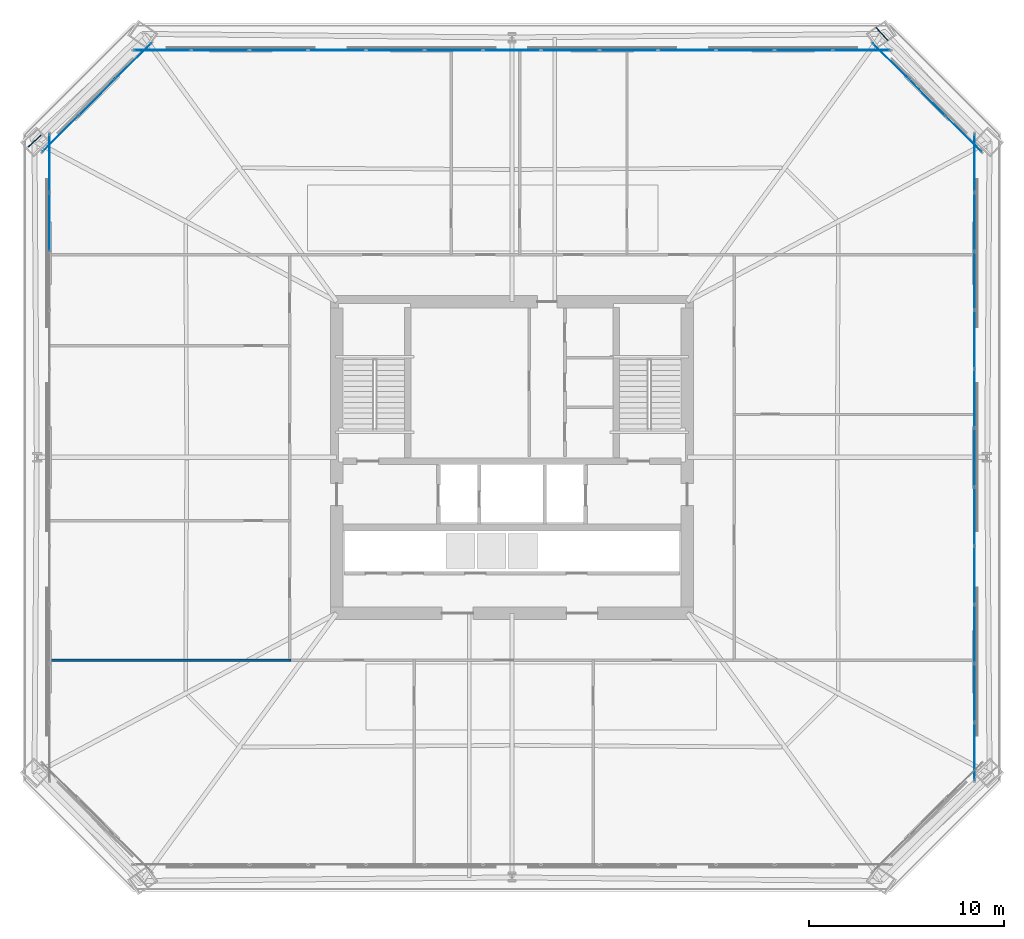
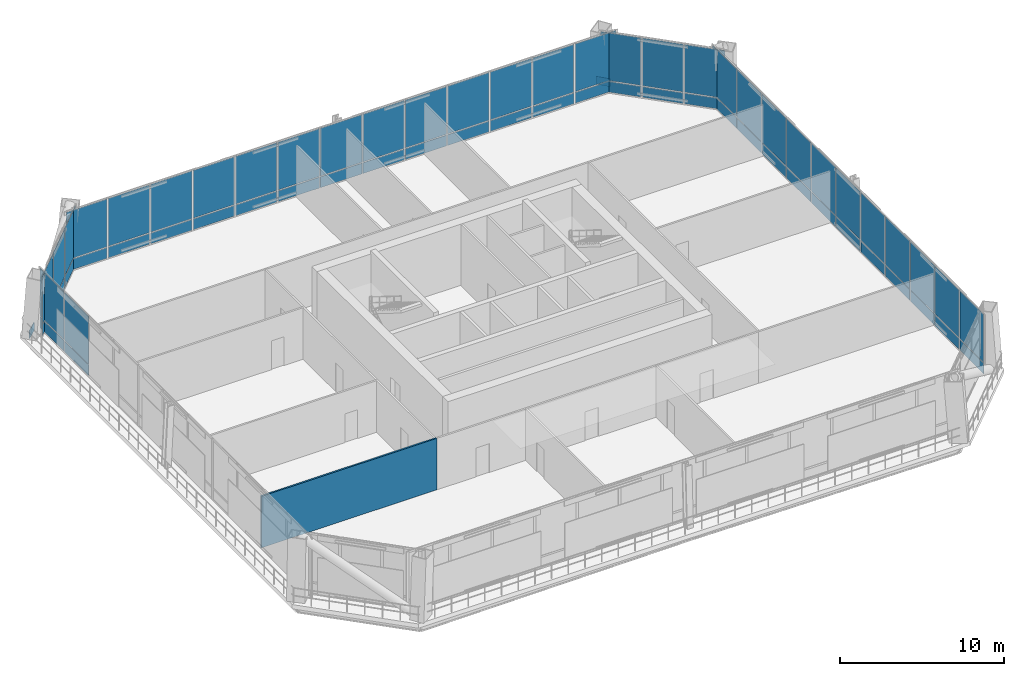
# One storey, part 41 of 48: 66 plates, 1 wall, 5 elements without a shape of their own.
"""IFC4 building model written with IfcOpenShell, lengths in metres."""

from ifc_helpers import new_model, si_unit, direction, frame, frame_2d, origin, origin_2d, place, context, subcontext, project, spatial, rectangle, extrude, material, layer, layer_set, type_object, element, aggregate, save


model = new_model("IFC4")

# Units and contexts
model_context = context("Model", 3, precision=1e-05, world=origin(), true_north=direction((0.0, 1.0)))
body_context = subcontext(model_context, "Body", "Model", "MODEL_VIEW")
ifc_project = project(units=[si_unit("LENGTHUNIT", "METRE"), si_unit("AREAUNIT", "SQUARE_METRE"), si_unit("VOLUMEUNIT", "CUBIC_METRE"), si_unit("PLANEANGLEUNIT", "RADIAN"), si_unit("MASSUNIT", "GRAM", prefix="KILO")], contexts=[model_context])

# Site, building, storey
site_placement = place(None, origin())
site = spatial("IfcSite", under=ifc_project, at=site_placement, CompositionType="ELEMENT")
building_placement = place(site_placement, origin())
building = spatial("IfcBuilding", under=site, at=building_placement, Name="Caelvoria Tower", CompositionType="ELEMENT")
storey_placement = place(building_placement, frame((0.0, 0.0, 90.39990234375)))
storey = spatial("IfcBuildingStorey", under=building, at=storey_placement, Name="L23", CompositionType="ELEMENT", Elevation=90.39990234375)

# Curtain wall, plates
ifc_material_1 = material(Name="Anodised Bronze Aluminium and Low-E Glass", Category="aluminium")
ifc_layer_1 = layer(ifc_material_1, 0.2099609375, Name="Anodised Bronze Aluminium and Low-E Glass")
ifc_layer_set_1 = layer_set([ifc_layer_1], Name="CW System 3 Sky Lobby Double-Height Acoustic Facade - Anodised Bronze Aluminium and Low-E Glass")
curtain_wall_type = type_object("IfcCurtainWallType", Name="CW System 3 Sky Lobby Double-Height Acoustic Facade", PredefinedType="NOTDEFINED", material=ifc_layer_set_1)
curtain_wall_1_placement = place(storey_placement, origin())
curtain_wall_1 = element("IfcCurtainWall", 1, at=curtain_wall_1_placement, inside=storey, type_object=curtain_wall_type, Name="CW-03 Curtain Wall L23-E2", PredefinedType="NOTDEFINED")
ifc_material_2 = material(Name="Tinted Low-E Insulated Glazing Unit", Category="glass")
ifc_layer_2 = layer(ifc_material_2, 0.028076171875, Name="Tinted Low-E Insulated Glazing Unit")
ifc_layer_set_2 = layer_set([ifc_layer_2], Name="Double-Glazed Solar-Control Vision Panel 28 - Tinted Low-E Insulated Glazing Unit")
plate_type_1 = type_object("IfcPlateType", Name="Double-Glazed Solar-Control Vision Panel 28", PredefinedType="CURTAIN_PANEL", material=ifc_layer_set_2)
plate_1_placement = place(storey_placement, frame((69.73681640625, 19.903076171875, 0.9326171875), z_axis=(0.0, 0.0, 1.0), x_axis=(0.0, 1.0, 0.0)))
plate_1 = element("IfcPlate", 2, at=plate_1_placement, type_object=plate_type_1, Name="CW-03 panel 2.2", PredefinedType="CURTAIN_PANEL", context=body_context, shape_type="SweptSolid", body=[
    extrude(rectangle(XDim=2.954345703125, YDim=0.028076171875, at=origin_2d()), origin(), (0.0, 0.0, 1.0), 3.5625),
])
plate_2_placement = place(storey_placement, frame((69.73681640625, 22.92724609375, 0.9326171875), z_axis=(0.0, 0.0, 1.0), x_axis=(0.0, 1.0, 0.0)))
plate_2 = element("IfcPlate", 3, at=plate_2_placement, type_object=plate_type_1, Name="CW-03 panel 3.2", PredefinedType="CURTAIN_PANEL", context=body_context, shape_type="SweptSolid", body=[
    extrude(rectangle(XDim=2.954345703125, YDim=0.028076171875, at=origin_2d()), origin(), (0.0, 0.0, 1.0), 3.5625),
])
plate_3_placement = place(storey_placement, frame((69.73681640625, 25.951416015625, 0.9326171875), z_axis=(0.0, 0.0, 1.0), x_axis=(0.0, 1.0, 0.0)))
plate_3 = element("IfcPlate", 4, at=plate_3_placement, type_object=plate_type_1, Name="CW-03 panel 4.2", PredefinedType="CURTAIN_PANEL", context=body_context, shape_type="SweptSolid", body=[
    extrude(rectangle(XDim=2.954345703125, YDim=0.028076171875, at=origin_2d()), origin(), (0.0, 0.0, 1.0), 3.5625),
])
plate_4_placement = place(storey_placement, frame((69.73681640625, 28.975830078125, 0.9326171875), z_axis=(0.0, 0.0, 1.0), x_axis=(0.0, 1.0, 0.0)))
plate_4 = element("IfcPlate", 5, at=plate_4_placement, type_object=plate_type_1, Name="CW-03 panel 5.2", PredefinedType="CURTAIN_PANEL", context=body_context, shape_type="SweptSolid", body=[
    extrude(rectangle(XDim=2.954345703125, YDim=0.028076171875, at=origin_2d()), origin(), (0.0, 0.0, 1.0), 3.5625),
])
plate_5_placement = place(storey_placement, frame((69.73681640625, 32.0, 0.9326171875), z_axis=(0.0, 0.0, 1.0), x_axis=(0.0, 1.0, 0.0)))
plate_5 = element("IfcPlate", 6, at=plate_5_placement, type_object=plate_type_1, Name="CW-03 panel 6.2", PredefinedType="CURTAIN_PANEL", context=body_context, shape_type="SweptSolid", body=[
    extrude(rectangle(XDim=2.954345703125, YDim=0.028076171875, at=origin_2d()), origin(), (0.0, 0.0, 1.0), 3.5625),
])
plate_6_placement = place(storey_placement, frame((69.73681640625, 35.024169921875, 0.9326171875), z_axis=(0.0, 0.0, 1.0), x_axis=(0.0, 1.0, 0.0)))
plate_6 = element("IfcPlate", 7, at=plate_6_placement, type_object=plate_type_1, Name="CW-03 panel 7.2", PredefinedType="CURTAIN_PANEL", context=body_context, shape_type="SweptSolid", body=[
    extrude(rectangle(XDim=2.954345703125, YDim=0.028076171875, at=origin_2d()), origin(), (0.0, 0.0, 1.0), 3.5625),
])
plate_7_placement = place(storey_placement, frame((69.73681640625, 38.048583984375, 0.9326171875), z_axis=(0.0, 0.0, 1.0), x_axis=(0.0, 1.0, 0.0)))
plate_7 = element("IfcPlate", 8, at=plate_7_placement, type_object=plate_type_1, Name="CW-03 panel 8.2", PredefinedType="CURTAIN_PANEL", context=body_context, shape_type="SweptSolid", body=[
    extrude(rectangle(XDim=2.954345703125, YDim=0.028076171875, at=origin_2d()), origin(), (0.0, 0.0, 1.0), 3.5625),
])
plate_8_placement = place(storey_placement, frame((69.73681640625, 41.07275390625, 0.9326171875), z_axis=(0.0, 0.0, 1.0), x_axis=(0.0, 1.0, 0.0)))
plate_8 = element("IfcPlate", 9, at=plate_8_placement, type_object=plate_type_1, Name="CW-03 panel 9.2", PredefinedType="CURTAIN_PANEL", context=body_context, shape_type="SweptSolid", body=[
    extrude(rectangle(XDim=2.954345703125, YDim=0.028076171875, at=origin_2d()), origin(), (0.0, 0.0, 1.0), 3.5625),
])
plate_9_placement = place(storey_placement, frame((69.73681640625, 44.096923828125, 0.9326171875), z_axis=(0.0, 0.0, 1.0), x_axis=(0.0, 1.0, 0.0)))
plate_9 = element("IfcPlate", 10, at=plate_9_placement, type_object=plate_type_1, Name="CW-03 panel 10.2", PredefinedType="CURTAIN_PANEL", context=body_context, shape_type="SweptSolid", body=[
    extrude(rectangle(XDim=2.954345703125, YDim=0.028076171875, at=origin_2d()), origin(), (0.0, 0.0, 1.0), 3.5625),
])

curtain_wall_2_placement = place(storey_placement, origin())
curtain_wall_2 = element("IfcCurtainWall", 11, at=curtain_wall_2_placement, inside=storey, type_object=curtain_wall_type, Name="CW-03 Curtain Wall L23-E4", PredefinedType="NOTDEFINED")
plate_10_placement = place(storey_placement, frame((60.974365234375, 52.9033203125, 0.9326171875), z_axis=(0.0, 0.0, 1.0), x_axis=(-1.0, 0.0, 0.0)))
plate_10 = element("IfcPlate", 12, at=plate_10_placement, type_object=plate_type_1, Name="CW-03 panel 2.2", PredefinedType="CURTAIN_PANEL", context=body_context, shape_type="SweptSolid", body=[
    extrude(rectangle(XDim=2.9248046875, YDim=0.028076171875, at=origin_2d()), origin(), (0.0, 0.0, 1.0), 3.5625),
])
plate_11_placement = place(storey_placement, frame((57.9794921875, 52.9033203125, 0.9326171875), z_axis=(0.0, 0.0, 1.0), x_axis=(-1.0, 0.0, 0.0)))
plate_11 = element("IfcPlate", 13, at=plate_11_placement, type_object=plate_type_1, Name="CW-03 panel 3.2", PredefinedType="CURTAIN_PANEL", context=body_context, shape_type="SweptSolid", body=[
    extrude(rectangle(XDim=2.9248046875, YDim=0.028076171875, at=origin_2d()), origin(), (0.0, 0.0, 1.0), 3.5625),
])
plate_12_placement = place(storey_placement, frame((54.984619140625, 52.9033203125, 0.9326171875), z_axis=(0.0, 0.0, 1.0), x_axis=(-1.0, 0.0, 0.0)))
plate_12 = element("IfcPlate", 14, at=plate_12_placement, type_object=plate_type_1, Name="CW-03 panel 4.2", PredefinedType="CURTAIN_PANEL", context=body_context, shape_type="SweptSolid", body=[
    extrude(rectangle(XDim=2.9248046875, YDim=0.028076171875, at=origin_2d()), origin(), (0.0, 0.0, 1.0), 3.5625),
])
plate_13_placement = place(storey_placement, frame((51.98974609375, 52.9033203125, 0.9326171875), z_axis=(0.0, 0.0, 1.0), x_axis=(-1.0, 0.0, 0.0)))
plate_13 = element("IfcPlate", 15, at=plate_13_placement, type_object=plate_type_1, Name="CW-03 panel 5.2", PredefinedType="CURTAIN_PANEL", context=body_context, shape_type="SweptSolid", body=[
    extrude(rectangle(XDim=2.9248046875, YDim=0.028076171875, at=origin_2d()), origin(), (0.0, 0.0, 1.0), 3.5625),
])
plate_14_placement = place(storey_placement, frame((48.994873046875, 52.9033203125, 0.9326171875), z_axis=(0.0, 0.0, 1.0), x_axis=(-1.0, 0.0, 0.0)))
plate_14 = element("IfcPlate", 16, at=plate_14_placement, type_object=plate_type_1, Name="CW-03 panel 6.2", PredefinedType="CURTAIN_PANEL", context=body_context, shape_type="SweptSolid", body=[
    extrude(rectangle(XDim=2.9248046875, YDim=0.028076171875, at=origin_2d()), origin(), (0.0, 0.0, 1.0), 3.5625),
])
plate_15_placement = place(storey_placement, frame((46.0, 52.9033203125, 0.9326171875), z_axis=(0.0, 0.0, 1.0), x_axis=(-1.0, 0.0, 0.0)))
plate_15 = element("IfcPlate", 17, at=plate_15_placement, type_object=plate_type_1, Name="CW-03 panel 7.2", PredefinedType="CURTAIN_PANEL", context=body_context, shape_type="SweptSolid", body=[
    extrude(rectangle(XDim=2.9248046875, YDim=0.028076171875, at=origin_2d()), origin(), (0.0, 0.0, 1.0), 3.5625),
])
plate_16_placement = place(storey_placement, frame((43.005126953125, 52.9033203125, 0.9326171875), z_axis=(0.0, 0.0, 1.0), x_axis=(-1.0, 0.0, 0.0)))
plate_16 = element("IfcPlate", 18, at=plate_16_placement, type_object=plate_type_1, Name="CW-03 panel 8.2", PredefinedType="CURTAIN_PANEL", context=body_context, shape_type="SweptSolid", body=[
    extrude(rectangle(XDim=2.9248046875, YDim=0.028076171875, at=origin_2d()), origin(), (0.0, 0.0, 1.0), 3.5625),
])
plate_17_placement = place(storey_placement, frame((40.01025390625, 52.9033203125, 0.9326171875), z_axis=(0.0, 0.0, 1.0), x_axis=(-1.0, 0.0, 0.0)))
plate_17 = element("IfcPlate", 19, at=plate_17_placement, type_object=plate_type_1, Name="CW-03 panel 9.2", PredefinedType="CURTAIN_PANEL", context=body_context, shape_type="SweptSolid", body=[
    extrude(rectangle(XDim=2.9248046875, YDim=0.028076171875, at=origin_2d()), origin(), (0.0, 0.0, 1.0), 3.5625),
])
plate_18_placement = place(storey_placement, frame((37.015380859375, 52.9033203125, 0.9326171875), z_axis=(0.0, 0.0, 1.0), x_axis=(-1.0, 0.0, 0.0)))
plate_18 = element("IfcPlate", 20, at=plate_18_placement, type_object=plate_type_1, Name="CW-03 panel 10.2", PredefinedType="CURTAIN_PANEL", context=body_context, shape_type="SweptSolid", body=[
    extrude(rectangle(XDim=2.9248046875, YDim=0.028076171875, at=origin_2d()), origin(), (0.0, 0.0, 1.0), 3.5625),
])
plate_19_placement = place(storey_placement, frame((34.0205078125, 52.9033203125, 0.9326171875), z_axis=(0.0, 0.0, 1.0), x_axis=(-1.0, 0.0, 0.0)))
plate_19 = element("IfcPlate", 21, at=plate_19_placement, type_object=plate_type_1, Name="CW-03 panel 11.2", PredefinedType="CURTAIN_PANEL", context=body_context, shape_type="SweptSolid", body=[
    extrude(rectangle(XDim=2.9248046875, YDim=0.028076171875, at=origin_2d()), origin(), (0.0, 0.0, 1.0), 3.5625),
])
plate_20_placement = place(storey_placement, frame((31.025634765625, 52.9033203125, 0.9326171875), z_axis=(0.0, 0.0, 1.0), x_axis=(-1.0, 0.0, 0.0)))
plate_20 = element("IfcPlate", 22, at=plate_20_placement, type_object=plate_type_1, Name="CW-03 panel 12.2", PredefinedType="CURTAIN_PANEL", context=body_context, shape_type="SweptSolid", body=[
    extrude(rectangle(XDim=2.9248046875, YDim=0.028076171875, at=origin_2d()), origin(), (0.0, 0.0, 1.0), 3.5625),
])

# Curtain wall, plate
curtain_wall_3_placement = place(storey_placement, origin())
curtain_wall_3 = element("IfcCurtainWall", 23, at=curtain_wall_3_placement, inside=storey, type_object=curtain_wall_type, Name="CW-03 Curtain Wall L23-E6", PredefinedType="NOTDEFINED")
plate_21_placement = place(storey_placement, frame((22.26318359375, 44.096923828125, 0.9326171875), z_axis=(0.0, 0.0, 1.0), x_axis=(0.0, -1.0, 0.0)))
plate_21 = element("IfcPlate", 24, at=plate_21_placement, type_object=plate_type_1, Name="CW-03 panel 2.2", PredefinedType="CURTAIN_PANEL", context=body_context, shape_type="SweptSolid", body=[
    extrude(rectangle(XDim=2.954345703125, YDim=0.028076171875, at=origin_2d()), origin(), (0.0, 0.0, 1.0), 3.5625),
])

# Plate
ifc_material_3 = material(Name="Anodised Bronze Insulated Aluminium Panel", Category="aluminium")
ifc_layer_3 = layer(ifc_material_3, 0.031982421875, Name="Anodised Bronze Insulated Aluminium Panel")
ifc_layer_set_3 = layer_set([ifc_layer_3], Name="Insulated Bronze Spandrel Curtain Panel 32 - Anodised Bronze Insulated Aluminium Panel")
plate_type_2 = type_object("IfcPlateType", Name="Insulated Bronze Spandrel Curtain Panel 32", PredefinedType="CURTAIN_PANEL", material=ifc_layer_set_3)
plate_22_placement = place(storey_placement, frame((69.73681640625, 16.896240234375, 0.06494140625), z_axis=(0.0, 0.0, 1.0), x_axis=(0.0, 1.0, 0.0)))
plate_22 = element("IfcPlate", 25, at=plate_22_placement, type_object=plate_type_2, Name="CW-03 panel 1.1", PredefinedType="CURTAIN_PANEL", context=body_context, shape_type="SweptSolid", body=[
    extrude(rectangle(XDim=2.919189453125, YDim=0.031982421875, at=origin_2d()), origin(), (0.0, 0.0, 1.0), 0.802490234375),
])

plate_23_placement = place(storey_placement, frame((69.73681640625, 16.896240234375, 0.9326171875), z_axis=(0.0, 0.0, 1.0), x_axis=(0.0, 1.0, 0.0)))
plate_23 = element("IfcPlate", 26, at=plate_23_placement, type_object=plate_type_2, Name="CW-03 panel 1.2", PredefinedType="CURTAIN_PANEL", context=body_context, shape_type="SweptSolid", body=[
    extrude(rectangle(XDim=2.919189453125, YDim=0.031982421875, at=origin_2d()), origin(), (0.0, 0.0, 1.0), 3.5625),
])

plate_24_placement = place(storey_placement, frame((69.73681640625, 19.903076171875, 0.06494140625), z_axis=(0.0, 0.0, 1.0), x_axis=(0.0, 1.0, 0.0)))
plate_24 = element("IfcPlate", 27, at=plate_24_placement, type_object=plate_type_2, Name="CW-03 panel 2.1", PredefinedType="CURTAIN_PANEL", context=body_context, shape_type="SweptSolid", body=[
    extrude(rectangle(XDim=2.954345703125, YDim=0.031982421875, at=origin_2d()), origin(), (0.0, 0.0, 1.0), 0.802490234375),
])

plate_25_placement = place(storey_placement, frame((69.73681640625, 22.92724609375, 0.06494140625), z_axis=(0.0, 0.0, 1.0), x_axis=(0.0, 1.0, 0.0)))
plate_25 = element("IfcPlate", 28, at=plate_25_placement, type_object=plate_type_2, Name="CW-03 panel 3.1", PredefinedType="CURTAIN_PANEL", context=body_context, shape_type="SweptSolid", body=[
    extrude(rectangle(XDim=2.954345703125, YDim=0.031982421875, at=origin_2d()), origin(), (0.0, 0.0, 1.0), 0.802490234375),
])

plate_26_placement = place(storey_placement, frame((69.73681640625, 25.951416015625, 0.06494140625), z_axis=(0.0, 0.0, 1.0), x_axis=(0.0, 1.0, 0.0)))
plate_26 = element("IfcPlate", 29, at=plate_26_placement, type_object=plate_type_2, Name="CW-03 panel 4.1", PredefinedType="CURTAIN_PANEL", context=body_context, shape_type="SweptSolid", body=[
    extrude(rectangle(XDim=2.954345703125, YDim=0.031982421875, at=origin_2d()), origin(), (0.0, 0.0, 1.0), 0.802490234375),
])

plate_27_placement = place(storey_placement, frame((69.73681640625, 28.975830078125, 0.06494140625), z_axis=(0.0, 0.0, 1.0), x_axis=(0.0, 1.0, 0.0)))
plate_27 = element("IfcPlate", 30, at=plate_27_placement, type_object=plate_type_2, Name="CW-03 panel 5.1", PredefinedType="CURTAIN_PANEL", context=body_context, shape_type="SweptSolid", body=[
    extrude(rectangle(XDim=2.954345703125, YDim=0.031982421875, at=origin_2d()), origin(), (0.0, 0.0, 1.0), 0.802490234375),
])

plate_28_placement = place(storey_placement, frame((69.73681640625, 32.0, 0.06494140625), z_axis=(0.0, 0.0, 1.0), x_axis=(0.0, 1.0, 0.0)))
plate_28 = element("IfcPlate", 31, at=plate_28_placement, type_object=plate_type_2, Name="CW-03 panel 6.1", PredefinedType="CURTAIN_PANEL", context=body_context, shape_type="SweptSolid", body=[
    extrude(rectangle(XDim=2.954345703125, YDim=0.031982421875, at=origin_2d()), origin(), (0.0, 0.0, 1.0), 0.802490234375),
])

plate_29_placement = place(storey_placement, frame((69.73681640625, 35.024169921875, 0.06494140625), z_axis=(0.0, 0.0, 1.0), x_axis=(0.0, 1.0, 0.0)))
plate_29 = element("IfcPlate", 32, at=plate_29_placement, type_object=plate_type_2, Name="CW-03 panel 7.1", PredefinedType="CURTAIN_PANEL", context=body_context, shape_type="SweptSolid", body=[
    extrude(rectangle(XDim=2.954345703125, YDim=0.031982421875, at=origin_2d()), origin(), (0.0, 0.0, 1.0), 0.802490234375),
])

plate_30_placement = place(storey_placement, frame((69.73681640625, 38.048583984375, 0.06494140625), z_axis=(0.0, 0.0, 1.0), x_axis=(0.0, 1.0, 0.0)))
plate_30 = element("IfcPlate", 33, at=plate_30_placement, type_object=plate_type_2, Name="CW-03 panel 8.1", PredefinedType="CURTAIN_PANEL", context=body_context, shape_type="SweptSolid", body=[
    extrude(rectangle(XDim=2.954345703125, YDim=0.031982421875, at=origin_2d()), origin(), (0.0, 0.0, 1.0), 0.802490234375),
])

plate_31_placement = place(storey_placement, frame((69.73681640625, 41.07275390625, 0.06494140625), z_axis=(0.0, 0.0, 1.0), x_axis=(0.0, 1.0, 0.0)))
plate_31 = element("IfcPlate", 34, at=plate_31_placement, type_object=plate_type_2, Name="CW-03 panel 9.1", PredefinedType="CURTAIN_PANEL", context=body_context, shape_type="SweptSolid", body=[
    extrude(rectangle(XDim=2.954345703125, YDim=0.031982421875, at=origin_2d()), origin(), (0.0, 0.0, 1.0), 0.802490234375),
])

plate_32_placement = place(storey_placement, frame((69.73681640625, 44.096923828125, 0.06494140625), z_axis=(0.0, 0.0, 1.0), x_axis=(0.0, 1.0, 0.0)))
plate_32 = element("IfcPlate", 35, at=plate_32_placement, type_object=plate_type_2, Name="CW-03 panel 10.1", PredefinedType="CURTAIN_PANEL", context=body_context, shape_type="SweptSolid", body=[
    extrude(rectangle(XDim=2.954345703125, YDim=0.031982421875, at=origin_2d()), origin(), (0.0, 0.0, 1.0), 0.802490234375),
])

plate_33_placement = place(storey_placement, frame((69.73681640625, 47.103759765625, 0.06494140625), z_axis=(0.0, 0.0, 1.0), x_axis=(0.0, 1.0, 0.0)))
plate_33 = element("IfcPlate", 36, at=plate_33_placement, type_object=plate_type_2, Name="CW-03 panel 11.1", PredefinedType="CURTAIN_PANEL", context=body_context, shape_type="SweptSolid", body=[
    extrude(rectangle(XDim=2.919189453125, YDim=0.031982421875, at=origin_2d()), origin(), (0.0, 0.0, 1.0), 0.802490234375),
])

plate_34_placement = place(storey_placement, frame((69.73681640625, 47.103759765625, 0.9326171875), z_axis=(0.0, 0.0, 1.0), x_axis=(0.0, 1.0, 0.0)))
plate_34 = element("IfcPlate", 37, at=plate_34_placement, type_object=plate_type_2, Name="CW-03 panel 11.2", PredefinedType="CURTAIN_PANEL", context=body_context, shape_type="SweptSolid", body=[
    extrude(rectangle(XDim=2.919189453125, YDim=0.031982421875, at=origin_2d()), origin(), (0.0, 0.0, 1.0), 3.5625),
])

aggregate(curtain_wall_1, [plate_22, plate_23, plate_24, plate_1, plate_25, plate_2, plate_26, plate_3, plate_27, plate_4, plate_28, plate_5, plate_29, plate_6, plate_30, plate_7, plate_31, plate_8, plate_32, plate_9, plate_33, plate_34])

# Curtain wall, plates
curtain_wall_4_placement = place(storey_placement, origin())
curtain_wall_4 = element("IfcCurtainWall", 38, at=curtain_wall_4_placement, inside=storey, type_object=curtain_wall_type, Name="CW-03 Curtain Wall L23-E3", PredefinedType="NOTDEFINED")
plate_35_placement = place(storey_placement, frame((69.186767578125, 48.611572265625, 0.06494140625), z_axis=(0.0, 0.0, 1.0), x_axis=(-0.707106781187, 0.707106781187, 0.0)))
plate_35 = element("IfcPlate", 39, at=plate_35_placement, type_object=plate_type_2, Name="CW-03 panel 1.1", PredefinedType="CURTAIN_PANEL", context=body_context, shape_type="SweptSolid", body=[
    extrude(rectangle(XDim=2.558349609375, YDim=0.031982421875, at=origin_2d()), origin(), (0.0, 0.0, 1.0), 0.802490234375),
])
plate_36_placement = place(storey_placement, frame((69.186767578125, 48.611572265625, 0.9326171875), z_axis=(0.0, 0.0, 1.0), x_axis=(-0.707106781187, 0.707106781187, 0.0)))
plate_36 = element("IfcPlate", 40, at=plate_36_placement, type_object=plate_type_2, Name="CW-03 panel 1.2", PredefinedType="CURTAIN_PANEL", context=body_context, shape_type="SweptSolid", body=[
    extrude(rectangle(XDim=2.558349609375, YDim=0.031982421875, at=origin_2d()), origin(), (0.0, 0.0, 1.0), 3.5625),
])
plate_37_placement = place(storey_placement, frame((67.31591796875, 50.482421875, 0.06494140625), z_axis=(0.0, 0.0, 1.0), x_axis=(-0.707106781187, 0.707106781187, 0.0)))
plate_37 = element("IfcPlate", 41, at=plate_37_placement, type_object=plate_type_2, Name="CW-03 panel 2.1", PredefinedType="CURTAIN_PANEL", context=body_context, shape_type="SweptSolid", body=[
    extrude(rectangle(XDim=2.593505859375, YDim=0.031982421875, at=origin_2d()), origin(), (0.0, 0.0, 1.0), 0.802490234375),
])
plate_38_placement = place(storey_placement, frame((67.31591796875, 50.482421875, 0.9326171875), z_axis=(0.0, 0.0, 1.0), x_axis=(-0.707106781187, 0.707106781187, 0.0)))
plate_38 = element("IfcPlate", 42, at=plate_38_placement, type_object=plate_type_2, Name="CW-03 panel 2.2", PredefinedType="CURTAIN_PANEL", context=body_context, shape_type="SweptSolid", body=[
    extrude(rectangle(XDim=2.593505859375, YDim=0.031982421875, at=origin_2d()), origin(), (0.0, 0.0, 1.0), 3.5625),
])
plate_39_placement = place(storey_placement, frame((65.44482421875, 52.353515625, 0.06494140625), z_axis=(0.0, 0.0, 1.0), x_axis=(-0.707106781187, 0.707106781187, 0.0)))
plate_39 = element("IfcPlate", 43, at=plate_39_placement, type_object=plate_type_2, Name="CW-03 panel 3.1", PredefinedType="CURTAIN_PANEL", context=body_context, shape_type="SweptSolid", body=[
    extrude(rectangle(XDim=2.558349609375, YDim=0.031982421875, at=origin_2d()), origin(), (0.0, 0.0, 1.0), 0.802490234375),
])
plate_40_placement = place(storey_placement, frame((65.44482421875, 52.353515625, 0.9326171875), z_axis=(0.0, 0.0, 1.0), x_axis=(-0.707106781187, 0.707106781187, 0.0)))
plate_40 = element("IfcPlate", 44, at=plate_40_placement, type_object=plate_type_2, Name="CW-03 panel 3.2", PredefinedType="CURTAIN_PANEL", context=body_context, shape_type="SweptSolid", body=[
    extrude(rectangle(XDim=2.558349609375, YDim=0.031982421875, at=origin_2d()), origin(), (0.0, 0.0, 1.0), 3.5625),
])
aggregate(curtain_wall_4, [plate_35, plate_36, plate_37, plate_38, plate_39, plate_40])

# Plate
plate_41_placement = place(storey_placement, frame((63.95166015625, 52.9033203125, 0.06494140625), z_axis=(0.0, 0.0, 1.0), x_axis=(-1.0, 0.0, 0.0)))
plate_41 = element("IfcPlate", 45, at=plate_41_placement, type_object=plate_type_2, Name="CW-03 panel 1.1", PredefinedType="CURTAIN_PANEL", context=body_context, shape_type="SweptSolid", body=[
    extrude(rectangle(XDim=2.889892578125, YDim=0.031982421875, at=origin_2d()), origin(), (0.0, 0.0, 1.0), 0.802490234375),
])

plate_42_placement = place(storey_placement, frame((63.95166015625, 52.9033203125, 0.9326171875), z_axis=(0.0, 0.0, 1.0), x_axis=(-1.0, 0.0, 0.0)))
plate_42 = element("IfcPlate", 46, at=plate_42_placement, type_object=plate_type_2, Name="CW-03 panel 1.2", PredefinedType="CURTAIN_PANEL", context=body_context, shape_type="SweptSolid", body=[
    extrude(rectangle(XDim=2.889892578125, YDim=0.031982421875, at=origin_2d()), origin(), (0.0, 0.0, 1.0), 3.5625),
])

plate_43_placement = place(storey_placement, frame((60.974365234375, 52.9033203125, 0.06494140625), z_axis=(0.0, 0.0, 1.0), x_axis=(-1.0, 0.0, 0.0)))
plate_43 = element("IfcPlate", 47, at=plate_43_placement, type_object=plate_type_2, Name="CW-03 panel 2.1", PredefinedType="CURTAIN_PANEL", context=body_context, shape_type="SweptSolid", body=[
    extrude(rectangle(XDim=2.9248046875, YDim=0.031982421875, at=origin_2d()), origin(), (0.0, 0.0, 1.0), 0.802490234375),
])

plate_44_placement = place(storey_placement, frame((57.9794921875, 52.9033203125, 0.06494140625), z_axis=(0.0, 0.0, 1.0), x_axis=(-1.0, 0.0, 0.0)))
plate_44 = element("IfcPlate", 48, at=plate_44_placement, type_object=plate_type_2, Name="CW-03 panel 3.1", PredefinedType="CURTAIN_PANEL", context=body_context, shape_type="SweptSolid", body=[
    extrude(rectangle(XDim=2.9248046875, YDim=0.031982421875, at=origin_2d()), origin(), (0.0, 0.0, 1.0), 0.802490234375),
])

plate_45_placement = place(storey_placement, frame((54.984619140625, 52.9033203125, 0.06494140625), z_axis=(0.0, 0.0, 1.0), x_axis=(-1.0, 0.0, 0.0)))
plate_45 = element("IfcPlate", 49, at=plate_45_placement, type_object=plate_type_2, Name="CW-03 panel 4.1", PredefinedType="CURTAIN_PANEL", context=body_context, shape_type="SweptSolid", body=[
    extrude(rectangle(XDim=2.9248046875, YDim=0.031982421875, at=origin_2d()), origin(), (0.0, 0.0, 1.0), 0.802490234375),
])

plate_46_placement = place(storey_placement, frame((51.98974609375, 52.9033203125, 0.06494140625), z_axis=(0.0, 0.0, 1.0), x_axis=(-1.0, 0.0, 0.0)))
plate_46 = element("IfcPlate", 50, at=plate_46_placement, type_object=plate_type_2, Name="CW-03 panel 5.1", PredefinedType="CURTAIN_PANEL", context=body_context, shape_type="SweptSolid", body=[
    extrude(rectangle(XDim=2.9248046875, YDim=0.031982421875, at=origin_2d()), origin(), (0.0, 0.0, 1.0), 0.802490234375),
])

plate_47_placement = place(storey_placement, frame((48.994873046875, 52.9033203125, 0.06494140625), z_axis=(0.0, 0.0, 1.0), x_axis=(-1.0, 0.0, 0.0)))
plate_47 = element("IfcPlate", 51, at=plate_47_placement, type_object=plate_type_2, Name="CW-03 panel 6.1", PredefinedType="CURTAIN_PANEL", context=body_context, shape_type="SweptSolid", body=[
    extrude(rectangle(XDim=2.9248046875, YDim=0.031982421875, at=origin_2d()), origin(), (0.0, 0.0, 1.0), 0.802490234375),
])

plate_48_placement = place(storey_placement, frame((46.0, 52.9033203125, 0.06494140625), z_axis=(0.0, 0.0, 1.0), x_axis=(-1.0, 0.0, 0.0)))
plate_48 = element("IfcPlate", 52, at=plate_48_placement, type_object=plate_type_2, Name="CW-03 panel 7.1", PredefinedType="CURTAIN_PANEL", context=body_context, shape_type="SweptSolid", body=[
    extrude(rectangle(XDim=2.9248046875, YDim=0.031982421875, at=origin_2d()), origin(), (0.0, 0.0, 1.0), 0.802490234375),
])

plate_49_placement = place(storey_placement, frame((43.005126953125, 52.9033203125, 0.06494140625), z_axis=(0.0, 0.0, 1.0), x_axis=(-1.0, 0.0, 0.0)))
plate_49 = element("IfcPlate", 53, at=plate_49_placement, type_object=plate_type_2, Name="CW-03 panel 8.1", PredefinedType="CURTAIN_PANEL", context=body_context, shape_type="SweptSolid", body=[
    extrude(rectangle(XDim=2.9248046875, YDim=0.031982421875, at=origin_2d()), origin(), (0.0, 0.0, 1.0), 0.802490234375),
])

plate_50_placement = place(storey_placement, frame((40.01025390625, 52.9033203125, 0.06494140625), z_axis=(0.0, 0.0, 1.0), x_axis=(-1.0, 0.0, 0.0)))
plate_50 = element("IfcPlate", 54, at=plate_50_placement, type_object=plate_type_2, Name="CW-03 panel 9.1", PredefinedType="CURTAIN_PANEL", context=body_context, shape_type="SweptSolid", body=[
    extrude(rectangle(XDim=2.9248046875, YDim=0.031982421875, at=origin_2d()), origin(), (0.0, 0.0, 1.0), 0.802490234375),
])

plate_51_placement = place(storey_placement, frame((37.015380859375, 52.9033203125, 0.06494140625), z_axis=(0.0, 0.0, 1.0), x_axis=(-1.0, 0.0, 0.0)))
plate_51 = element("IfcPlate", 55, at=plate_51_placement, type_object=plate_type_2, Name="CW-03 panel 10.1", PredefinedType="CURTAIN_PANEL", context=body_context, shape_type="SweptSolid", body=[
    extrude(rectangle(XDim=2.9248046875, YDim=0.031982421875, at=origin_2d()), origin(), (0.0, 0.0, 1.0), 0.802490234375),
])

plate_52_placement = place(storey_placement, frame((34.0205078125, 52.9033203125, 0.06494140625), z_axis=(0.0, 0.0, 1.0), x_axis=(-1.0, 0.0, 0.0)))
plate_52 = element("IfcPlate", 56, at=plate_52_placement, type_object=plate_type_2, Name="CW-03 panel 11.1", PredefinedType="CURTAIN_PANEL", context=body_context, shape_type="SweptSolid", body=[
    extrude(rectangle(XDim=2.9248046875, YDim=0.031982421875, at=origin_2d()), origin(), (0.0, 0.0, 1.0), 0.802490234375),
])

plate_53_placement = place(storey_placement, frame((31.025634765625, 52.9033203125, 0.06494140625), z_axis=(0.0, 0.0, 1.0), x_axis=(-1.0, 0.0, 0.0)))
plate_53 = element("IfcPlate", 57, at=plate_53_placement, type_object=plate_type_2, Name="CW-03 panel 12.1", PredefinedType="CURTAIN_PANEL", context=body_context, shape_type="SweptSolid", body=[
    extrude(rectangle(XDim=2.9248046875, YDim=0.031982421875, at=origin_2d()), origin(), (0.0, 0.0, 1.0), 0.802490234375),
])

plate_54_placement = place(storey_placement, frame((28.04833984375, 52.9033203125, 0.06494140625), z_axis=(0.0, 0.0, 1.0), x_axis=(-1.0, 0.0, 0.0)))
plate_54 = element("IfcPlate", 58, at=plate_54_placement, type_object=plate_type_2, Name="CW-03 panel 13.1", PredefinedType="CURTAIN_PANEL", context=body_context, shape_type="SweptSolid", body=[
    extrude(rectangle(XDim=2.889892578125, YDim=0.031982421875, at=origin_2d()), origin(), (0.0, 0.0, 1.0), 0.802490234375),
])

plate_55_placement = place(storey_placement, frame((28.04833984375, 52.9033203125, 0.9326171875), z_axis=(0.0, 0.0, 1.0), x_axis=(-1.0, 0.0, 0.0)))
plate_55 = element("IfcPlate", 59, at=plate_55_placement, type_object=plate_type_2, Name="CW-03 panel 13.2", PredefinedType="CURTAIN_PANEL", context=body_context, shape_type="SweptSolid", body=[
    extrude(rectangle(XDim=2.889892578125, YDim=0.031982421875, at=origin_2d()), origin(), (0.0, 0.0, 1.0), 3.5625),
])

aggregate(curtain_wall_2, [plate_41, plate_42, plate_43, plate_10, plate_44, plate_11, plate_45, plate_12, plate_46, plate_13, plate_47, plate_14, plate_48, plate_15, plate_49, plate_16, plate_50, plate_17, plate_51, plate_18, plate_52, plate_19, plate_53, plate_20, plate_54, plate_55])

# Curtain wall, plates
curtain_wall_5_placement = place(storey_placement, origin())
curtain_wall_5 = element("IfcCurtainWall", 60, at=curtain_wall_5_placement, inside=storey, type_object=curtain_wall_type, Name="CW-03 Curtain Wall L23-E5", PredefinedType="NOTDEFINED")
plate_56_placement = place(storey_placement, frame((26.55517578125, 52.353515625, 0.06494140625), z_axis=(0.0, 0.0, 1.0), x_axis=(-0.707106781187, -0.707106781187, 0.0)))
plate_56 = element("IfcPlate", 61, at=plate_56_placement, type_object=plate_type_2, Name="CW-03 panel 1.1", PredefinedType="CURTAIN_PANEL", context=body_context, shape_type="SweptSolid", body=[
    extrude(rectangle(XDim=2.558349609375, YDim=0.031982421875, at=origin_2d()), origin(), (0.0, 0.0, 1.0), 0.802490234375),
])
plate_57_placement = place(storey_placement, frame((26.55517578125, 52.353515625, 0.9326171875), z_axis=(0.0, 0.0, 1.0), x_axis=(-0.707106781187, -0.707106781187, 0.0)))
plate_57 = element("IfcPlate", 62, at=plate_57_placement, type_object=plate_type_2, Name="CW-03 panel 1.2", PredefinedType="CURTAIN_PANEL", context=body_context, shape_type="SweptSolid", body=[
    extrude(rectangle(XDim=2.558349609375, YDim=0.031982421875, at=origin_2d()), origin(), (0.0, 0.0, 1.0), 3.5625),
])
plate_58_placement = place(storey_placement, frame((24.68408203125, 50.482421875, 0.06494140625), z_axis=(0.0, 0.0, 1.0), x_axis=(-0.707106781187, -0.707106781187, 0.0)))
plate_58 = element("IfcPlate", 63, at=plate_58_placement, type_object=plate_type_2, Name="CW-03 panel 2.1", PredefinedType="CURTAIN_PANEL", context=body_context, shape_type="SweptSolid", body=[
    extrude(rectangle(XDim=2.593505859375, YDim=0.031982421875, at=origin_2d()), origin(), (0.0, 0.0, 1.0), 0.802490234375),
])
plate_59_placement = place(storey_placement, frame((24.68408203125, 50.482421875, 0.9326171875), z_axis=(0.0, 0.0, 1.0), x_axis=(-0.707106781187, -0.707106781187, 0.0)))
plate_59 = element("IfcPlate", 64, at=plate_59_placement, type_object=plate_type_2, Name="CW-03 panel 2.2", PredefinedType="CURTAIN_PANEL", context=body_context, shape_type="SweptSolid", body=[
    extrude(rectangle(XDim=2.593505859375, YDim=0.031982421875, at=origin_2d()), origin(), (0.0, 0.0, 1.0), 3.5625),
])
plate_60_placement = place(storey_placement, frame((22.813232421875, 48.611572265625, 0.06494140625), z_axis=(0.0, 0.0, 1.0), x_axis=(-0.707106781187, -0.707106781187, 0.0)))
plate_60 = element("IfcPlate", 65, at=plate_60_placement, type_object=plate_type_2, Name="CW-03 panel 3.1", PredefinedType="CURTAIN_PANEL", context=body_context, shape_type="SweptSolid", body=[
    extrude(rectangle(XDim=2.558349609375, YDim=0.031982421875, at=origin_2d()), origin(), (0.0, 0.0, 1.0), 0.802490234375),
])
plate_61_placement = place(storey_placement, frame((22.813232421875, 48.611572265625, 0.9326171875), z_axis=(0.0, 0.0, 1.0), x_axis=(-0.707106781187, -0.707106781187, 0.0)))
plate_61 = element("IfcPlate", 66, at=plate_61_placement, type_object=plate_type_2, Name="CW-03 panel 3.2", PredefinedType="CURTAIN_PANEL", context=body_context, shape_type="SweptSolid", body=[
    extrude(rectangle(XDim=2.558349609375, YDim=0.031982421875, at=origin_2d()), origin(), (0.0, 0.0, 1.0), 3.5625),
])
aggregate(curtain_wall_5, [plate_56, plate_57, plate_58, plate_59, plate_60, plate_61])

# Plate
plate_62_placement = place(storey_placement, frame((22.26318359375, 47.103759765625, 0.06494140625), z_axis=(0.0, 0.0, 1.0), x_axis=(0.0, -1.0, 0.0)))
plate_62 = element("IfcPlate", 67, at=plate_62_placement, type_object=plate_type_2, Name="CW-03 panel 1.1", PredefinedType="CURTAIN_PANEL", context=body_context, shape_type="SweptSolid", body=[
    extrude(rectangle(XDim=2.919189453125, YDim=0.031982421875, at=origin_2d()), origin(), (0.0, 0.0, 1.0), 0.802490234375),
])

plate_63_placement = place(storey_placement, frame((22.26318359375, 47.103759765625, 0.9326171875), z_axis=(0.0, 0.0, 1.0), x_axis=(0.0, -1.0, 0.0)))
plate_63 = element("IfcPlate", 68, at=plate_63_placement, type_object=plate_type_2, Name="CW-03 panel 1.2", PredefinedType="CURTAIN_PANEL", context=body_context, shape_type="SweptSolid", body=[
    extrude(rectangle(XDim=2.919189453125, YDim=0.031982421875, at=origin_2d()), origin(), (0.0, 0.0, 1.0), 3.5625),
])

plate_64_placement = place(storey_placement, frame((22.26318359375, 44.096923828125, 0.06494140625), z_axis=(0.0, 0.0, 1.0), x_axis=(0.0, -1.0, 0.0)))
plate_64 = element("IfcPlate", 69, at=plate_64_placement, type_object=plate_type_2, Name="CW-03 panel 2.1", PredefinedType="CURTAIN_PANEL", context=body_context, shape_type="SweptSolid", body=[
    extrude(rectangle(XDim=2.954345703125, YDim=0.031982421875, at=origin_2d()), origin(), (0.0, 0.0, 1.0), 0.802490234375),
])

aggregate(curtain_wall_3, [plate_62, plate_63, plate_64, plate_21])

# Plates
ifc_material_4 = material(Name="Structural Steel ASTM A572 Gr.50", Category="steel")
ifc_layer_4 = layer(ifc_material_4, 0.0400390625, Name="Structural Steel ASTM A572 Gr.50")
ifc_layer_set_4 = layer_set([ifc_layer_4], Name="Megaframe Node Gusset Plate 900x600x40 - Structural Steel ASTM A572 Gr.50")
plate_type_3 = type_object("IfcPlateType", Name="Megaframe Node Gusset Plate 900x600x40", PredefinedType="USERDEFINED", material=ifc_layer_set_4)
for number, where, z_axis, x_axis, name in (
    (70, (64.992919921875, 53.7412109375, 0.02001953125), (0.0, 0.0, 1.0), (0.678964777816, -0.73417084557, 0.0), "Chamfer Mega Brace Gusset L23 NE"),
    (71, (21.483642578125, 48.23583984375, 0.02001953125), (0.0, 0.0, 1.0), (0.736236473337, 0.676724356979, 0.0), "Chamfer Mega Brace Gusset L23 NW"),
):
    element("IfcPlate", number, at=place(storey_placement, frame(where, z_axis=z_axis, x_axis=x_axis)), inside=storey, type_object=plate_type_3, Name=name, ObjectType="GUSSET_PLATE", PredefinedType="USERDEFINED", context=body_context, shape_type="SweptSolid", body=[
        extrude(rectangle(XDim=0.89990234375, YDim=0.0400390625, at=origin_2d()), origin(), (0.0, 0.0, 1.0), 0.60009765625),
    ])

# Wall
ifc_material_5 = material(Name="Acoustic Gypsum Board on Light-Gauge Stud", Category="gypsum")
ifc_layer_5 = layer(ifc_material_5, 0.1201171875, Name="Acoustic Gypsum Board on Light-Gauge Stud")
ifc_layer_set_5 = layer_set([ifc_layer_5], Name="Tenant Suite Acoustic Partition Wall 120 - Acoustic Gypsum Board on Light-Gauge Stud")
wall_type = type_object("IfcWallType", Name="Tenant Suite Acoustic Partition Wall 120", PredefinedType="PARTITIONING", material=ifc_layer_set_5)
wall_placement = place(storey_placement, frame((34.64990234375, 21.590087890625, 0.0), z_axis=(0.0, 0.0, 1.0), x_axis=(-1.0, 0.0, 0.0)))
element("IfcWall", 72, at=wall_placement, inside=storey, type_object=wall_type, Name="Interior Partition IW-L23-BSW-0", PredefinedType="PARTITIONING", context=body_context, shape_type="SweptSolid", body=[
    extrude(rectangle(XDim=12.38671875, YDim=0.1201171875, at=frame_2d((6.193359375, 0.0))), origin(), (0.0, 0.0, 1.0), 3.840087890625),
])

save(model, "model.ifc")
